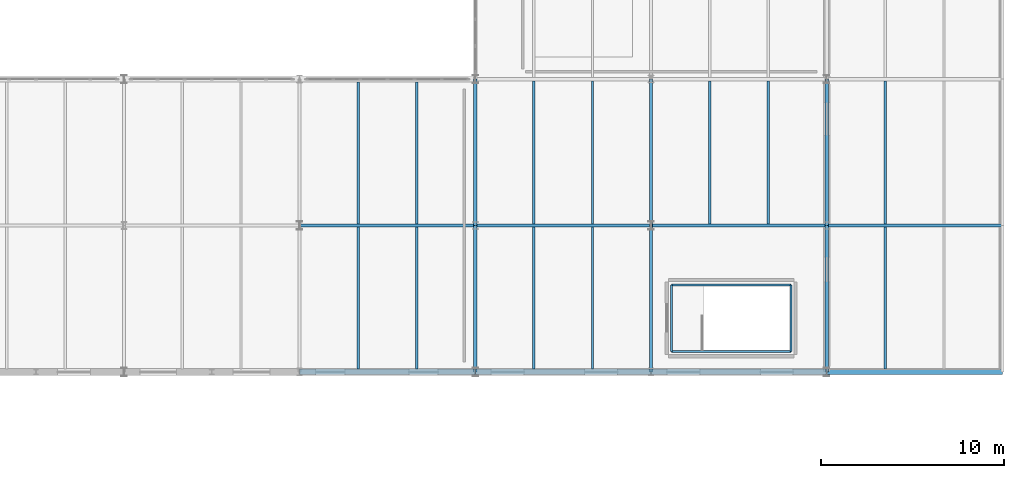
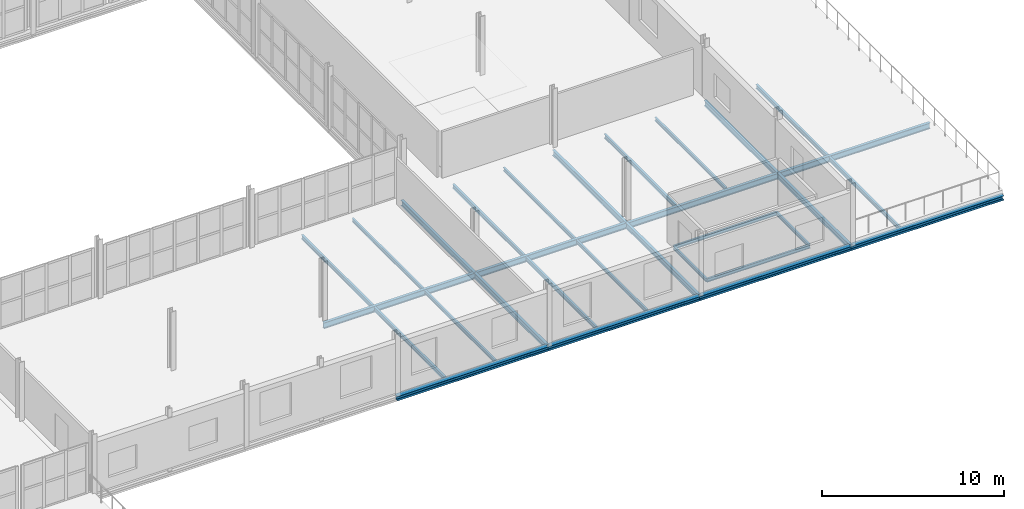
# One storey, part 53 of 85: 30 beams.
"""IFC4 building model written with IfcOpenShell, lengths in metres."""

from ifc_helpers import new_model, si_unit, direction, frame, origin, origin_2d, place, context, subcontext, project, spatial, i_section, extrude, material, material_profile, profile_set, type_object, element, save


model = new_model("IFC4")

# Units and contexts
model_context = context("Model", 3, precision=1e-05, world=origin(), true_north=direction((0.0, 1.0)))
body_context = subcontext(model_context, "Body", "Model", "MODEL_VIEW")
ifc_project = project(units=[si_unit("LENGTHUNIT", "METRE"), si_unit("AREAUNIT", "SQUARE_METRE"), si_unit("VOLUMEUNIT", "CUBIC_METRE"), si_unit("PLANEANGLEUNIT", "RADIAN"), si_unit("MASSUNIT", "GRAM", prefix="KILO")], contexts=[model_context])

# Site, building, storey
site_placement = place(None, origin())
site = spatial("IfcSite", under=ifc_project, at=site_placement, CompositionType="ELEMENT")
building_placement = place(site_placement, origin())
building = spatial("IfcBuilding", under=site, at=building_placement, Name="Alderhovde Museum", CompositionType="ELEMENT")
storey_placement = place(building_placement, frame((0.0, 0.0, 8.699951171875)))
storey = spatial("IfcBuildingStorey", under=building, at=storey_placement, Name="L02", CompositionType="ELEMENT", Elevation=8.699951171875)

# Beams
ifc_material_1 = material(Name="Steel S355J2", Category="steel")
ifc_material_profile_1 = material_profile(ifc_material_1, i_section(OverallWidth=0.1201171875, OverallDepth=0.239990234375, WebThickness=0.006103515625, FlangeThickness=0.009765625, FilletRadius=0.014892578125, at=origin_2d()), Name="IPE 240")
ifc_profile_set_1 = profile_set([ifc_material_profile_1], Name="Steel S355J2")
beam_type_1 = type_object("IfcBeamType", Name="BM-IPE240", PredefinedType="BEAM", material=ifc_profile_set_1)
for number, where, z_axis, x_axis, name in (
    (1, (154.719970703125, 33.1201171875, -0.3798828125), (1.0, 0.0, 0.0), (0.0, 1.0, 0.0), "L02 Stair ST7 Floor Trimmer S"),
    (2, (154.719970703125, 36.760009765625, -0.3798828125), (1.0, 0.0, 0.0), (0.0, 1.0, 0.0), "L02 Stair ST7 Floor Trimmer N"),
):
    element("IfcBeam", number, at=place(storey_placement, frame(where, z_axis=z_axis, x_axis=x_axis)), inside=storey, type_object=beam_type_1, Name=name, PredefinedType="BEAM", context=body_context, shape_type="SweptSolid", body=[
        extrude(i_section(OverallWidth=0.1201171875, OverallDepth=0.239990234375, WebThickness=0.006103515625, FlangeThickness=0.009765625, FilletRadius=0.014892578125, at=origin_2d()), origin(), (0.0, 0.0, 1.0), 6.52001953125),
    ])
for number, where, z_axis, x_axis, name in (
    (3, (154.719970703125, 33.1201171875, -0.3798828125), (0.0, 1.0, 0.0), (-1.0, 0.0, 0.0), "L02 Stair ST7 Floor Trimmer W"),
    (4, (161.239990234375, 33.1201171875, -0.3798828125), (0.0, 1.0, 0.0), (-1.0, 0.0, 0.0), "L02 Stair ST7 Floor Trimmer E"),
):
    element("IfcBeam", number, at=place(storey_placement, frame(where, z_axis=z_axis, x_axis=x_axis)), inside=storey, type_object=beam_type_1, Name=name, PredefinedType="BEAM", context=body_context, shape_type="SweptSolid", body=[
        extrude(i_section(OverallWidth=0.1201171875, OverallDepth=0.239990234375, WebThickness=0.006103515625, FlangeThickness=0.009765625, FilletRadius=0.014892578125, at=origin_2d()), origin(), (0.0, 0.0, 1.0), 3.639892578125),
    ])
ifc_material_2 = material(Name="Steel S355J2", Category="steel")
ifc_material_profile_2 = material_profile(ifc_material_2, i_section(OverallWidth=0.169921875, OverallDepth=0.360107421875, WebThickness=0.008056640625, FlangeThickness=0.0126953125, FilletRadius=0.01806640625, at=origin_2d()), Name="IPE 360")
ifc_profile_set_2 = profile_set([ifc_material_profile_2], Name="Steel S355J2")
beam_type_2 = type_object("IfcBeamType", Name="BM-IPE360", PredefinedType="BEAM", material=ifc_profile_set_2)
for number, where, z_axis, x_axis, name in (
    (5, (144.0, 32.0, -0.43994140625), (0.0, 1.0, 0.0), (-1.0, 0.0, 0.0), "L02 Grid Beam X=144.0 (32.0 TO 40.0)"),
    (6, (144.0, 40.0, -0.43994140625), (0.0, 1.0, 0.0), (-1.0, 0.0, 0.0), "L02 Grid Beam X=144.0 (40.0 TO 48.0)"),
    (7, (153.60009765625, 32.0, -0.43994140625), (0.0, 1.0, 0.0), (-1.0, 0.0, 0.0), "L02 Grid Beam X=153.6 (32.0 TO 40.0)"),
    (8, (153.60009765625, 40.0, -0.43994140625), (0.0, 1.0, 0.0), (-1.0, 0.0, 0.0), "L02 Grid Beam X=153.6 (40.0 TO 48.0)"),
    (9, (163.199951171875, 32.0, -0.47998046875), (0.0, 1.0, 0.0), (-1.0, 0.0, 0.0), "L02 Grid Beam X=163.2 (32.0 TO 40.0)"),
    (10, (163.199951171875, 40.0, -0.47998046875), (0.0, 1.0, 0.0), (-1.0, 0.0, 0.0), "L02 Grid Beam X=163.2 (40.0 TO 48.0)"),
):
    element("IfcBeam", number, at=place(storey_placement, frame(where, z_axis=z_axis, x_axis=x_axis)), inside=storey, type_object=beam_type_2, Name=name, PredefinedType="BEAM", context=body_context, shape_type="SweptSolid", body=[
        extrude(i_section(OverallWidth=0.169921875, OverallDepth=0.360107421875, WebThickness=0.008056640625, FlangeThickness=0.0126953125, FilletRadius=0.01806640625, at=origin_2d()), origin(), (0.0, 0.0, 1.0), 8.0),
    ])
ifc_material_3 = material(Name="Steel S355J2", Category="steel")
ifc_material_profile_3 = material_profile(ifc_material_3, i_section(OverallWidth=0.179931640625, OverallDepth=0.39990234375, WebThickness=0.008544921875, FlangeThickness=0.013427734375, FilletRadius=0.02099609375, at=origin_2d()), Name="IPE 400")
ifc_profile_set_3 = profile_set([ifc_material_profile_3], Name="Steel S355J2")
beam_type_3 = type_object("IfcBeamType", Name="BM-IPE400", PredefinedType="BEAM", material=ifc_profile_set_3)
for number, where, z_axis, x_axis, name in (
    (11, (134.39990234375, 40.0, -0.4599609375), (1.0, 0.0, 0.0), (0.0, 1.0, 0.0), "L02 Grid Beam Y=40.0 (134.4 TO 144.0)"),
    (12, (144.0, 40.0, -0.4599609375), (1.0, 0.0, 0.0), (0.0, 1.0, 0.0), "L02 Grid Beam Y=40.0 (144.0 TO 153.6)"),
):
    element("IfcBeam", number, at=place(storey_placement, frame(where, z_axis=z_axis, x_axis=x_axis)), inside=storey, type_object=beam_type_3, Name=name, PredefinedType="BEAM", context=body_context, shape_type="SweptSolid", body=[
        extrude(i_section(OverallWidth=0.179931640625, OverallDepth=0.39990234375, WebThickness=0.008544921875, FlangeThickness=0.013427734375, FilletRadius=0.02099609375, at=origin_2d()), origin(), (0.0, 0.0, 1.0), 9.60009765625),
    ])
beam_1_placement = place(storey_placement, frame((153.60009765625, 40.0, -0.5), z_axis=(1.0, 0.0, 0.0), x_axis=(0.0, 1.0, 0.0)))
element("IfcBeam", 13, at=beam_1_placement, inside=storey, type_object=beam_type_3, Name="L02 Grid Beam Y=40.0 (153.6 TO 163.2)", PredefinedType="BEAM", context=body_context, shape_type="SweptSolid", body=[
    extrude(i_section(OverallWidth=0.179931640625, OverallDepth=0.39990234375, WebThickness=0.008544921875, FlangeThickness=0.013427734375, FilletRadius=0.02099609375, at=origin_2d()), origin(), (0.0, 0.0, 1.0), 9.599853515625),
])
beam_2_placement = place(storey_placement, frame((163.199951171875, 40.0, -0.5), z_axis=(1.0, 0.0, 0.0), x_axis=(0.0, 1.0, 0.0)))
element("IfcBeam", 14, at=beam_2_placement, inside=storey, type_object=beam_type_3, Name="L02 Grid Beam Y=40.0 (163.2 TO 172.8)", PredefinedType="BEAM", context=body_context, shape_type="SweptSolid", body=[
    extrude(i_section(OverallWidth=0.179931640625, OverallDepth=0.39990234375, WebThickness=0.008544921875, FlangeThickness=0.013427734375, FilletRadius=0.02099609375, at=origin_2d()), origin(), (0.0, 0.0, 1.0), 9.60009765625),
])
ifc_material_4 = material(Name="Steel S355J2", Category="steel")
ifc_material_profile_4 = material_profile(ifc_material_4, i_section(OverallWidth=0.1201171875, OverallDepth=0.239990234375, WebThickness=0.006103515625, FlangeThickness=0.009765625, FilletRadius=0.014892578125, at=origin_2d()), Name="IPE 240")
ifc_profile_set_4 = profile_set([ifc_material_profile_4], Name="Steel S355J2")
beam_type_4 = type_object("IfcBeamType", Name="JST-IPE240", PredefinedType="JOIST", material=ifc_profile_set_4)
for number, where, z_axis, x_axis, name in (
    (15, (140.800048828125, 32.14990234375, -0.3798828125), (0.0, 1.0, 0.0), (-1.0, 0.0, 0.0), "L02 Composite Joist X=140.8 (32.0 TO 40.0)"),
    (16, (140.800048828125, 40.090087890625, -0.3798828125), (0.0, 1.0, 0.0), (-1.0, 0.0, 0.0), "L02 Composite Joist X=140.8 (40.0 TO 48.0)"),
    (17, (150.39990234375, 32.14990234375, -0.3798828125), (0.0, 1.0, 0.0), (-1.0, 0.0, 0.0), "L02 Composite Joist X=150.4 (32.0 TO 40.0)"),
):
    element("IfcBeam", number, at=place(storey_placement, frame(where, z_axis=z_axis, x_axis=x_axis)), inside=storey, type_object=beam_type_4, Name=name, PredefinedType="JOIST", context=body_context, shape_type="SweptSolid", body=[
        extrude(i_section(OverallWidth=0.1201171875, OverallDepth=0.239990234375, WebThickness=0.006103515625, FlangeThickness=0.009765625, FilletRadius=0.014892578125, at=origin_2d()), origin(), (0.0, 0.0, 1.0), 7.760009765625),
    ])
for number, where, z_axis, x_axis, name in (
    (18, (150.39990234375, 40.090087890625, -0.3798828125), (0.0, 1.0, 0.0), (-1.0, 0.0, 0.0), "L02 Composite Joist X=150.4 (40.0 TO 48.0)"),
    (19, (160.0, 40.090087890625, -0.3798828125), (0.0, 1.0, 0.0), (-1.0, 0.0, 0.0), "L02 Composite Joist X=160.0 (40.0 TO 48.0)"),
):
    element("IfcBeam", number, at=place(storey_placement, frame(where, z_axis=z_axis, x_axis=x_axis)), inside=storey, type_object=beam_type_4, Name=name, PredefinedType="JOIST", context=body_context, shape_type="SweptSolid", body=[
        extrude(i_section(OverallWidth=0.1201171875, OverallDepth=0.239990234375, WebThickness=0.006103515625, FlangeThickness=0.009765625, FilletRadius=0.014892578125, at=origin_2d()), origin(), (0.0, 0.0, 1.0), 7.81982421875),
    ])
ifc_material_5 = material(Name="Steel S355J2", Category="steel")
ifc_material_profile_5 = material_profile(ifc_material_5, i_section(OverallWidth=0.135009765625, OverallDepth=0.27001953125, WebThickness=0.006591796875, FlangeThickness=0.01025390625, FilletRadius=0.014892578125, at=origin_2d()), Name="IPE 270")
ifc_profile_set_5 = profile_set([ifc_material_profile_5], Name="Steel S355J2")
beam_type_5 = type_object("IfcBeamType", Name="JST-IPE270", PredefinedType="JOIST", material=ifc_profile_set_5)
for number, where, z_axis, x_axis, name in (
    (20, (137.60009765625, 32.14990234375, -0.39501953125), (0.0, 1.0, 0.0), (-1.0, 0.0, 0.0), "L02 Composite Joist X=137.6 (32.0 TO 40.0)"),
    (21, (137.60009765625, 40.090087890625, -0.39501953125), (0.0, 1.0, 0.0), (-1.0, 0.0, 0.0), "L02 Composite Joist X=137.6 (40.0 TO 48.0)"),
    (22, (147.199951171875, 32.14990234375, -0.39501953125), (0.0, 1.0, 0.0), (-1.0, 0.0, 0.0), "L02 Composite Joist X=147.2 (32.0 TO 40.0)"),
):
    element("IfcBeam", number, at=place(storey_placement, frame(where, z_axis=z_axis, x_axis=x_axis)), inside=storey, type_object=beam_type_5, Name=name, PredefinedType="JOIST", context=body_context, shape_type="SweptSolid", body=[
        extrude(i_section(OverallWidth=0.135009765625, OverallDepth=0.27001953125, WebThickness=0.006591796875, FlangeThickness=0.01025390625, FilletRadius=0.014892578125, at=origin_2d()), origin(), (0.0, 0.0, 1.0), 7.760009765625),
    ])
for number, where, z_axis, x_axis, name in (
    (23, (147.199951171875, 40.090087890625, -0.39501953125), (0.0, 1.0, 0.0), (-1.0, 0.0, 0.0), "L02 Composite Joist X=147.2 (40.0 TO 48.0)"),
    (24, (156.800048828125, 40.090087890625, -0.39501953125), (0.0, 1.0, 0.0), (-1.0, 0.0, 0.0), "L02 Composite Joist X=156.8 (40.0 TO 48.0)"),
):
    element("IfcBeam", number, at=place(storey_placement, frame(where, z_axis=z_axis, x_axis=x_axis)), inside=storey, type_object=beam_type_5, Name=name, PredefinedType="JOIST", context=body_context, shape_type="SweptSolid", body=[
        extrude(i_section(OverallWidth=0.135009765625, OverallDepth=0.27001953125, WebThickness=0.006591796875, FlangeThickness=0.01025390625, FilletRadius=0.014892578125, at=origin_2d()), origin(), (0.0, 0.0, 1.0), 7.81982421875),
    ])
beam_3_placement = place(storey_placement, frame((166.39990234375, 32.14990234375, -0.43505859375), z_axis=(0.0, 1.0, 0.0), x_axis=(-1.0, 0.0, 0.0)))
element("IfcBeam", 25, at=beam_3_placement, inside=storey, type_object=beam_type_5, Name="L02 Composite Joist X=166.4 (32.0 TO 40.0)", PredefinedType="JOIST", context=body_context, shape_type="SweptSolid", body=[
    extrude(i_section(OverallWidth=0.135009765625, OverallDepth=0.27001953125, WebThickness=0.006591796875, FlangeThickness=0.01025390625, FilletRadius=0.014892578125, at=origin_2d()), origin(), (0.0, 0.0, 1.0), 7.760009765625),
])
beam_4_placement = place(storey_placement, frame((166.39990234375, 40.090087890625, -0.43505859375), z_axis=(0.0, 1.0, 0.0), x_axis=(-1.0, 0.0, 0.0)))
element("IfcBeam", 26, at=beam_4_placement, inside=storey, type_object=beam_type_5, Name="L02 Composite Joist X=166.4 (40.0 TO 48.0)", PredefinedType="JOIST", context=body_context, shape_type="SweptSolid", body=[
    extrude(i_section(OverallWidth=0.135009765625, OverallDepth=0.27001953125, WebThickness=0.006591796875, FlangeThickness=0.01025390625, FilletRadius=0.014892578125, at=origin_2d()), origin(), (0.0, 0.0, 1.0), 7.81982421875),
])
ifc_material_6 = material(Name="Steel S355J2", Category="steel")
ifc_material_profile_6 = material_profile(ifc_material_6, i_section(OverallWidth=0.300048828125, OverallDepth=0.2900390625, WebThickness=0.008544921875, FlangeThickness=0.013916015625, FilletRadius=0.027099609375, at=origin_2d()), Name="HEA 300")
ifc_profile_set_6 = profile_set([ifc_material_profile_6], Name="Steel S355J2")
beam_type_6 = type_object("IfcBeamType", Name="SPD-HEA300", PredefinedType="SPANDREL", material=ifc_profile_set_6)
for number, where, z_axis, x_axis, name in (
    (27, (134.39990234375, 32.0, -0.445068359375), (1.0, 0.0, 0.0), (0.0, 1.0, 0.0), "L02 Grid Beam Y=32.0 (134.4 TO 144.0)"),
    (28, (144.0, 32.0, -0.445068359375), (1.0, 0.0, 0.0), (0.0, 1.0, 0.0), "L02 Grid Beam Y=32.0 (144.0 TO 153.6)"),
):
    element("IfcBeam", number, at=place(storey_placement, frame(where, z_axis=z_axis, x_axis=x_axis)), inside=storey, type_object=beam_type_6, Name=name, PredefinedType="SPANDREL", context=body_context, shape_type="SweptSolid", body=[
        extrude(i_section(OverallWidth=0.300048828125, OverallDepth=0.2900390625, WebThickness=0.008544921875, FlangeThickness=0.013916015625, FilletRadius=0.027099609375, at=origin_2d()), origin(), (0.0, 0.0, 1.0), 9.60009765625),
    ])
beam_5_placement = place(storey_placement, frame((153.60009765625, 32.0, -0.445068359375), z_axis=(1.0, 0.0, 0.0), x_axis=(0.0, 1.0, 0.0)))
element("IfcBeam", 29, at=beam_5_placement, inside=storey, type_object=beam_type_6, Name="L02 Grid Beam Y=32.0 (153.6 TO 163.2)", PredefinedType="SPANDREL", context=body_context, shape_type="SweptSolid", body=[
    extrude(i_section(OverallWidth=0.300048828125, OverallDepth=0.2900390625, WebThickness=0.008544921875, FlangeThickness=0.013916015625, FilletRadius=0.027099609375, at=origin_2d()), origin(), (0.0, 0.0, 1.0), 9.599853515625),
])
beam_6_placement = place(storey_placement, frame((163.199951171875, 32.0, -0.445068359375), z_axis=(1.0, 0.0, 0.0), x_axis=(0.0, 1.0, 0.0)))
element("IfcBeam", 30, at=beam_6_placement, inside=storey, type_object=beam_type_6, Name="L02 Grid Beam Y=32.0 (163.2 TO 172.8)", PredefinedType="SPANDREL", context=body_context, shape_type="SweptSolid", body=[
    extrude(i_section(OverallWidth=0.300048828125, OverallDepth=0.2900390625, WebThickness=0.008544921875, FlangeThickness=0.013916015625, FilletRadius=0.027099609375, at=origin_2d()), origin(), (0.0, 0.0, 1.0), 9.60009765625),
])

save(model, "model.ifc")
